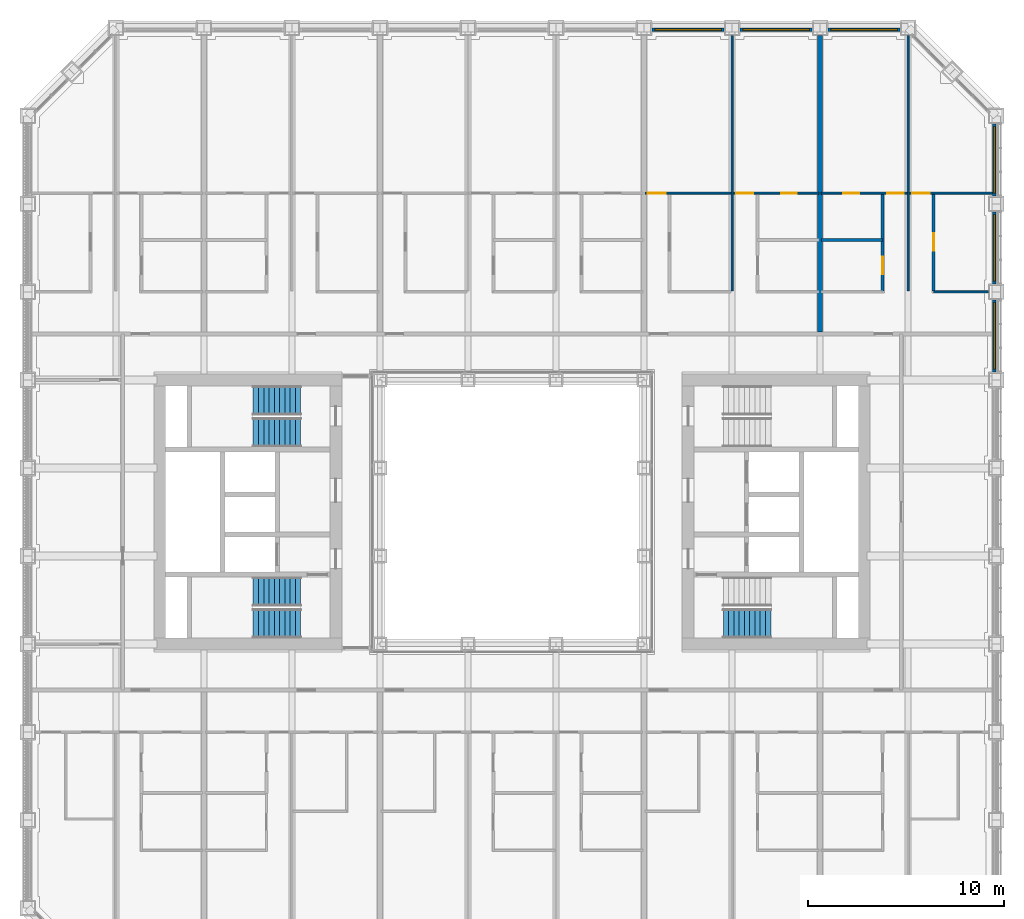
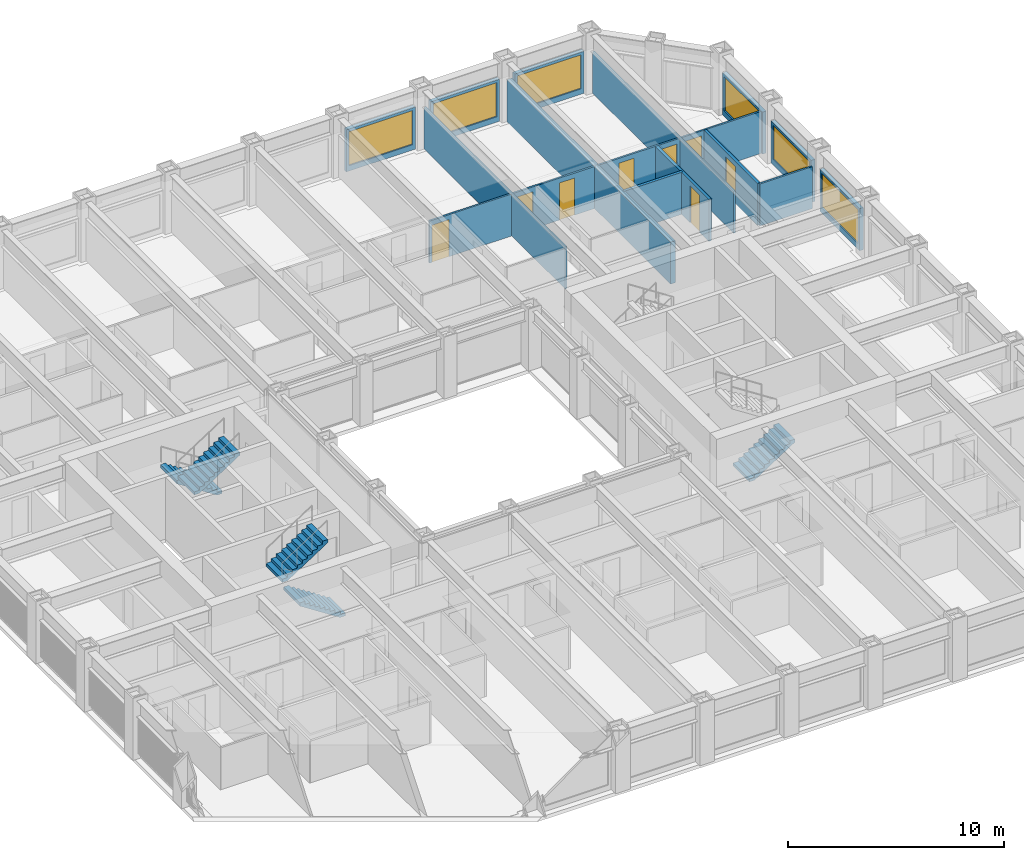
# One storey, part 15 of 21: 17 walls, 8 doors, 6 windows, 5 stair flights, 14 openings, 3 elements without a shape of their own.
"""IFC4 building model written with IfcOpenShell, lengths in metres."""

import ifcopenshell
import ifcopenshell.guid

model = None  # the IFC model being written
_history = None  # IfcOwnerHistory: only IFC2X3 demands one
_inside = {}  # id of a spatial element -> (the spatial element, [elements in it])
_under = {}  # id of a project, library or spatial element -> (it, [spatial elements below it])
_declared = {}  # id of a project -> (the project, [libraries it declares])
_typed = {}  # id of a type object -> (the type object, [elements of that type])
_made_of = {}  # id of a material, layer set ... -> (it, [elements and type objects made of it])


def new_model(schema):
    """Start an empty IFC model of exactly this schema.

    Asked for "IFC4X3", IfcOpenShell would pick the latest addendum, in which some entities
    have other attributes; the version numbers below select the first issue.
    IFC2X3 requires an IfcOwnerHistory on every rooted entity: one is made here for all.
    """
    global model, _history
    if schema == "IFC4X3":
        model = ifcopenshell.file(schema_version=(4, 3, 0, 0))
    else:
        model = ifcopenshell.file(schema=schema)
    _inside.clear()
    _under.clear()
    _declared.clear()
    _typed.clear()
    _made_of.clear()
    _history = None
    if model.schema == "IFC2X3":
        org = make("IfcOrganization", Name="unknown")
        user = make(
            "IfcPersonAndOrganization",
            ThePerson=make("IfcPerson", FamilyName="unknown"),
            TheOrganization=org,
        )
        app = make(
            "IfcApplication",
            ApplicationDeveloper=org,
            Version="unknown",
            ApplicationFullName="unknown",
            ApplicationIdentifier="unknown",
        )
        _history = make(
            "IfcOwnerHistory",
            OwningUser=user,
            OwningApplication=app,
            ChangeAction="ADDED",
            CreationDate=0,
        )
    return model


def make(cls, **values):
    """One entity of the class cls with the attributes given. An attribute that is None is left unset."""
    return model.create_entity(
        cls, **{name: value for name, value in values.items() if value is not None}
    )


def rooted(cls, **values):
    """An entity with a GlobalId (a new one), such as an element, a storey or a relation."""
    return make(cls, GlobalId=ifcopenshell.guid.new(), OwnerHistory=_history, **values)


def si_unit(unit_type, name, prefix=None):
    """IfcSIUnit, for example si_unit("LENGTHUNIT", "METRE", prefix="MILLI")."""
    return make("IfcSIUnit", UnitType=unit_type, Prefix=prefix, Name=name)


def assignment(units):
    """IfcUnitAssignment: the units of a project."""
    return None if units is None else make("IfcUnitAssignment", Units=units)


def point(xyz):
    """IfcCartesianPoint."""
    return None if xyz is None else make("IfcCartesianPoint", Coordinates=xyz)


def direction(xyz):
    """IfcDirection."""
    return None if xyz is None else make("IfcDirection", DirectionRatios=xyz)


def frame(location, z_axis=None, x_axis=None):
    """IfcAxis2Placement3D, a coordinate frame: its origin and axes. An axis left out is left unset."""
    return make(
        "IfcAxis2Placement3D",
        Location=point(location),
        Axis=direction(z_axis),
        RefDirection=direction(x_axis),
    )


def frame_2d(location, x_axis=None):
    """IfcAxis2Placement2D, a coordinate frame in the plane: its origin and x axis."""
    return make(
        "IfcAxis2Placement2D", Location=point(location), RefDirection=direction(x_axis)
    )


def origin():
    """The frame at (0, 0, 0) with its axes left unset."""
    return frame((0.0, 0.0, 0.0))


def place(relative_to, where):
    """IfcLocalPlacement: puts the frame where relative to a parent placement (None: the world)."""
    return make(
        "IfcLocalPlacement", PlacementRelTo=relative_to, RelativePlacement=where
    )


def context(
    kind, dimensions, precision=None, world=None, true_north=None, identifier=None
):
    """IfcGeometricRepresentationContext, for example the 3D "Model" context."""
    return make(
        "IfcGeometricRepresentationContext",
        ContextIdentifier=identifier,
        ContextType=kind,
        CoordinateSpaceDimension=dimensions,
        Precision=precision,
        WorldCoordinateSystem=world,
        TrueNorth=true_north,
    )


def subcontext(parent, identifier, kind, view, scale=None):
    """IfcGeometricRepresentationSubContext, for example "Body" below "Model"."""
    return make(
        "IfcGeometricRepresentationSubContext",
        ContextIdentifier=identifier,
        ContextType=kind,
        ParentContext=parent,
        TargetScale=scale,
        TargetView=view,
    )


def project(units=None, contexts=None):
    """IfcProject with its units and contexts."""
    return rooted(
        "IfcProject",
        Name="project",
        RepresentationContexts=contexts,
        UnitsInContext=assignment(units),
    )


def spatial(cls, under=None, at=None, **own):
    """A site, building, storey or space (cls), placed at a placement, below another one or the project."""
    s = rooted(cls, ObjectPlacement=at, **own)
    if under is not None:
        _under.setdefault(under.id(), (under, []))[1].append(s)
    return s


def polyline(points):
    """IfcPolyline through the points."""
    return make("IfcPolyline", Points=[point(p) for p in points])


def profile(cls, at=None, kind="AREA", **sizes):
    """A parametric profile (cls). Its sizes go by their IFC names, for example OverallWidth=200.0."""
    return make(cls, ProfileType=kind, Position=at, **sizes)


def rectangle(**sizes):
    """IfcRectangleProfileDef."""
    return profile("IfcRectangleProfileDef", **sizes)


def outline(outer, holes=None, kind="AREA"):
    """IfcArbitraryClosedProfileDef: a profile drawn as a closed curve; with holes, ...WithVoids."""
    if holes is None:
        return make("IfcArbitraryClosedProfileDef", ProfileType=kind, OuterCurve=outer)
    return make(
        "IfcArbitraryProfileDefWithVoids",
        ProfileType=kind,
        OuterCurve=outer,
        InnerCurves=holes,
    )


def extrude(swept, where, along, depth):
    """IfcExtrudedAreaSolid: the profile swept, set in the frame where, extruded along a direction by depth."""
    return make(
        "IfcExtrudedAreaSolid",
        SweptArea=swept,
        Position=where,
        ExtrudedDirection=direction(along),
        Depth=depth,
    )


def shape(context_of_items, identifier, shape_type, items):
    """IfcShapeRepresentation: the items that make up one representation, for example the "Body"."""
    return make(
        "IfcShapeRepresentation",
        ContextOfItems=context_of_items,
        RepresentationIdentifier=identifier,
        RepresentationType=shape_type,
        Items=items,
    )


def material(Name=None, Category=None):
    """IfcMaterial."""
    return make("IfcMaterial", Name=Name, Category=Category)


def layer(
    of_material, thickness, ventilated=None, Name=None, Category=None, Priority=None
):
    """IfcMaterialLayer: one layer of a wall or slab, of a material (None: an air gap)."""
    return make(
        "IfcMaterialLayer",
        Material=of_material,
        LayerThickness=thickness,
        IsVentilated=ventilated,
        Name=Name,
        Category=Category,
        Priority=Priority,
    )


def layer_set(layers, Name=None):
    """IfcMaterialLayerSet."""
    return make("IfcMaterialLayerSet", MaterialLayers=layers, LayerSetName=Name)


def made_of(thing, what):
    """Note that an element or type object is made of a material, layer set ...; save() writes the relation."""
    if what is not None:
        _made_of.setdefault(what.id(), (what, []))[1].append(thing)
    return thing


def type_object(cls, material=None, **own):
    """A type object (cls), such as IfcWallType, which elements share."""
    return made_of(rooted(cls, **own), material)


def element(
    cls,
    number,
    at=None,
    inside=None,
    cuts=None,
    type_object=None,
    material=None,
    context=None,
    identifier="Body",
    shape_type=None,
    held_by="IfcProductDefinitionShape",
    body=None,
    shapes=None,
    **own,
):
    """One element of the class cls, such as IfcWall. Its Tag is "e" and its number.

    at: its placement. inside: the storey or other place that contains it. cuts: it is an
    opening in that element (IfcRelVoidsElement). A single representation is given by context,
    identifier, shape_type and body (its items); several are given by shapes. held_by: the class
    of the entity that holds the representations. save() writes the other relations.
    """
    e = rooted(cls, Tag="e%d" % number, ObjectPlacement=at, **own)
    if body is not None:
        shapes = [shape(context, identifier, shape_type, body)]
    if shapes is not None:
        e.Representation = make(held_by, Representations=shapes)
    if inside is not None:
        _inside.setdefault(inside.id(), (inside, []))[1].append(e)
    if cuts is not None:
        rooted(
            "IfcRelVoidsElement", RelatingBuildingElement=cuts, RelatedOpeningElement=e
        )
    if type_object is not None:
        _typed.setdefault(type_object.id(), (type_object, []))[1].append(e)
    return made_of(e, material)


def fill(opening, filler):
    """IfcRelFillsElement: the door or window that sits in an opening."""
    return rooted(
        "IfcRelFillsElement",
        RelatingOpeningElement=opening,
        RelatedBuildingElement=filler,
    )


def aggregate(whole, parts):
    """IfcRelAggregates: a whole, such as a stair, and the parts it consists of."""
    return rooted("IfcRelAggregates", RelatingObject=whole, RelatedObjects=parts)


def save(model, path):
    """Write the relations noted so far, then the file.

    IfcRelAggregates (storeys below a building ...), IfcRelContainedInSpatialStructure (elements
    in a storey), IfcRelDefinesByType, IfcRelAssociatesMaterial and IfcRelDeclares: one each for
    every whole, place, type object, material and project.
    """
    for whole, parts in _under.values():
        aggregate(whole, parts)
    for where, things in _inside.values():
        rooted(
            "IfcRelContainedInSpatialStructure",
            RelatedElements=things,
            RelatingStructure=where,
        )
    for kind, things in _typed.values():
        rooted("IfcRelDefinesByType", RelatedObjects=things, RelatingType=kind)
    for what, things in _made_of.values():
        rooted("IfcRelAssociatesMaterial", RelatedObjects=things, RelatingMaterial=what)
    for by, libraries in _declared.values():
        rooted("IfcRelDeclares", RelatingContext=by, RelatedDefinitions=libraries)
    model.write(path)


model = new_model("IFC4")

# Units and contexts
model_context = context("Model", 3, precision=1e-05, world=origin(), true_north=direction((0.0, 1.0)))
body_context = subcontext(model_context, "Body", "Model", "MODEL_VIEW")
ifc_project = project(units=[si_unit("LENGTHUNIT", "METRE"), si_unit("AREAUNIT", "SQUARE_METRE"), si_unit("VOLUMEUNIT", "CUBIC_METRE"), si_unit("PLANEANGLEUNIT", "RADIAN"), si_unit("MASSUNIT", "GRAM", prefix="KILO")], contexts=[model_context])

# Site, building, storey
site_placement = place(None, origin())
site = spatial("IfcSite", under=ifc_project, at=site_placement, CompositionType="ELEMENT")
building_placement = place(site_placement, origin())
building = spatial("IfcBuilding", under=site, at=building_placement, Name="Msasa Ring Tower", CompositionType="ELEMENT")
storey_placement = place(building_placement, frame((0.0, 0.0, 47.5)))
storey = spatial("IfcBuildingStorey", under=building, at=storey_placement, Name="L11", CompositionType="ELEMENT", Elevation=47.5)

# Wall, opening, window
ifc_material_1 = material(Name="Terracotta rainscreen on blockwork", Category="masonry")
ifc_layer_1 = layer(ifc_material_1, 0.199951171875)
ifc_layer_set_1 = layer_set([ifc_layer_1], Name="FW1 TERRACOTTA-LINED INFILL BAY WALL 200")
wall_type_1 = type_object("IfcWallType", Name="FW1 TERRACOTTA-LINED INFILL BAY WALL 200", PredefinedType="SOLIDWALL", material=ifc_layer_set_1)
wall_1_placement = place(storey_placement, frame((24.64990234375, 7.155029296875, 0.0), z_axis=(0.0, 0.0, 1.0), x_axis=(0.0, 1.0, 0.0)))
wall_1 = element("IfcWall", 1, at=wall_1_placement, inside=storey, type_object=wall_type_1, Name="Infill bay wall E L11 17", PredefinedType="SOLIDWALL", context=body_context, shape_type="SweptSolid", body=[
    extrude(rectangle(XDim=3.68994140625, YDim=0.199951171875, at=frame_2d((1.844970703125, 0.0))), origin(), (0.0, 0.0, 1.0), 2.37890625),
])
opening_1_placement = place(wall_1_placement, frame((0.14501953125, 0.0, 0.300048828125)))
opening_1 = element("IfcOpeningElement", 2, at=opening_1_placement, cuts=wall_1, Name="Opening WN1", PredefinedType="OPENING", context=body_context, shape_type="SweptSolid", body=[
    extrude(rectangle(XDim=3.39990234375, YDim=1.928955078125, at=frame_2d((1.699951171875, 0.96435546875))), frame((0.0, 0.10986328125, 0.0), z_axis=(0.0, -1.0, 0.0), x_axis=(1.0, 0.0, 0.0)), (0.0, 0.0, 1.0), 0.219970703125),
])
ifc_material_2 = material(Name="Aluminium frame with clear glass", Category="aluminium")
window_type = type_object("IfcWindowType", Name="WN1 RESIDENCE WINDOW 3400x1929", PartitioningType="SINGLE_PANEL", PredefinedType="WINDOW", material=ifc_material_2)
window_1_placement = place(opening_1_placement, origin())
window_1 = element("IfcWindow", 3, at=window_1_placement, inside=storey, type_object=window_type, Name="Window E L11 17", OverallHeight=1.928955078125, OverallWidth=3.39990234375, PartitioningType="SINGLE_PANEL", PredefinedType="WINDOW", context=body_context, shape_type="SweptSolid", body=[
    extrude(rectangle(XDim=3.39990234375, YDim=1.928955078125, at=frame_2d((1.699951171875, 0.96435546875))), frame((0.0, 0.030029296875, 0.0), z_axis=(0.0, -1.0, 0.0), x_axis=(1.0, 0.0, 0.0)), (0.0, 0.0, 1.0), 0.06005859375),
])
fill(opening_1, window_1)

wall_2_placement = place(storey_placement, frame((24.64990234375, 11.655029296875, 0.0), z_axis=(0.0, 0.0, 1.0), x_axis=(0.0, 1.0, 0.0)))
wall_2 = element("IfcWall", 4, at=wall_2_placement, inside=storey, type_object=wall_type_1, Name="Infill bay wall E L11 18", PredefinedType="SOLIDWALL", context=body_context, shape_type="SweptSolid", body=[
    extrude(rectangle(XDim=3.68994140625, YDim=0.199951171875, at=frame_2d((1.844970703125, 0.0))), origin(), (0.0, 0.0, 1.0), 2.37890625),
])
opening_2_placement = place(wall_2_placement, frame((0.14501953125, 0.0, 0.300048828125)))
opening_2 = element("IfcOpeningElement", 5, at=opening_2_placement, cuts=wall_2, Name="Opening WN1", PredefinedType="OPENING", context=body_context, shape_type="SweptSolid", body=[
    extrude(rectangle(XDim=3.39990234375, YDim=1.928955078125, at=frame_2d((1.699951171875, 0.96435546875))), frame((0.0, 0.10986328125, 0.0), z_axis=(0.0, -1.0, 0.0), x_axis=(1.0, 0.0, 0.0)), (0.0, 0.0, 1.0), 0.219970703125),
])
window_2_placement = place(opening_2_placement, origin())
window_2 = element("IfcWindow", 6, at=window_2_placement, inside=storey, type_object=window_type, Name="Window E L11 18", OverallHeight=1.928955078125, OverallWidth=3.39990234375, PartitioningType="SINGLE_PANEL", PredefinedType="WINDOW", context=body_context, shape_type="SweptSolid", body=[
    extrude(rectangle(XDim=3.39990234375, YDim=1.928955078125, at=frame_2d((1.699951171875, 0.96435546875))), frame((0.0, 0.030029296875, 0.0), z_axis=(0.0, -1.0, 0.0), x_axis=(1.0, 0.0, 0.0)), (0.0, 0.0, 1.0), 0.06005859375),
])
fill(opening_2, window_2)

wall_3_placement = place(storey_placement, frame((24.64990234375, 16.155029296875, 0.0), z_axis=(0.0, 0.0, 1.0), x_axis=(0.0, 1.0, 0.0)))
wall_3 = element("IfcWall", 7, at=wall_3_placement, inside=storey, type_object=wall_type_1, Name="Infill bay wall E L11 19", PredefinedType="SOLIDWALL", context=body_context, shape_type="SweptSolid", body=[
    extrude(rectangle(XDim=3.68994140625, YDim=0.199951171875, at=frame_2d((1.844970703125, 0.0))), origin(), (0.0, 0.0, 1.0), 2.37890625),
])
opening_3_placement = place(wall_3_placement, frame((0.14501953125, 0.0, 0.300048828125)))
opening_3 = element("IfcOpeningElement", 8, at=opening_3_placement, cuts=wall_3, Name="Opening WN1", PredefinedType="OPENING", context=body_context, shape_type="SweptSolid", body=[
    extrude(rectangle(XDim=3.39990234375, YDim=1.928955078125, at=frame_2d((1.699951171875, 0.96435546875))), frame((0.0, 0.10986328125, 0.0), z_axis=(0.0, -1.0, 0.0), x_axis=(1.0, 0.0, 0.0)), (0.0, 0.0, 1.0), 0.219970703125),
])
window_3_placement = place(opening_3_placement, origin())
window_3 = element("IfcWindow", 9, at=window_3_placement, inside=storey, type_object=window_type, Name="Window E L11 19", OverallHeight=1.928955078125, OverallWidth=3.39990234375, PartitioningType="SINGLE_PANEL", PredefinedType="WINDOW", context=body_context, shape_type="SweptSolid", body=[
    extrude(rectangle(XDim=3.39990234375, YDim=1.928955078125, at=frame_2d((1.699951171875, 0.96435546875))), frame((0.0, 0.030029296875, 0.0), z_axis=(0.0, -1.0, 0.0), x_axis=(1.0, 0.0, 0.0)), (0.0, 0.0, 1.0), 0.06005859375),
])
fill(opening_3, window_3)

wall_4_placement = place(storey_placement, frame((7.155029296875, 24.64990234375, 0.0), z_axis=(0.0, 0.0, 1.0), x_axis=(1.0, 0.0, 0.0)))
wall_4 = element("IfcWall", 10, at=wall_4_placement, inside=storey, type_object=wall_type_1, Name="Infill bay wall N L11 28", PredefinedType="SOLIDWALL", context=body_context, shape_type="SweptSolid", body=[
    extrude(rectangle(XDim=3.68994140625, YDim=0.199951171875, at=frame_2d((1.844970703125, 0.0))), origin(), (0.0, 0.0, 1.0), 2.37890625),
])
opening_4_placement = place(wall_4_placement, frame((0.14501953125, 0.0, 0.300048828125)))
opening_4 = element("IfcOpeningElement", 11, at=opening_4_placement, cuts=wall_4, Name="Opening WN1", PredefinedType="OPENING", context=body_context, shape_type="SweptSolid", body=[
    extrude(rectangle(XDim=3.39990234375, YDim=1.928955078125, at=frame_2d((1.699951171875, 0.96435546875))), frame((0.0, 0.10986328125, 0.0), z_axis=(0.0, -1.0, 0.0), x_axis=(1.0, 0.0, 0.0)), (0.0, 0.0, 1.0), 0.219970703125),
])
window_4_placement = place(opening_4_placement, origin())
window_4 = element("IfcWindow", 12, at=window_4_placement, inside=storey, type_object=window_type, Name="Window N L11 28", OverallHeight=1.928955078125, OverallWidth=3.39990234375, PartitioningType="SINGLE_PANEL", PredefinedType="WINDOW", context=body_context, shape_type="SweptSolid", body=[
    extrude(rectangle(XDim=3.39990234375, YDim=1.928955078125, at=frame_2d((1.699951171875, 0.96435546875))), frame((0.0, 0.030029296875, 0.0), z_axis=(0.0, -1.0, 0.0), x_axis=(1.0, 0.0, 0.0)), (0.0, 0.0, 1.0), 0.06005859375),
])
fill(opening_4, window_4)

wall_5_placement = place(storey_placement, frame((11.655029296875, 24.64990234375, 0.0), z_axis=(0.0, 0.0, 1.0), x_axis=(1.0, 0.0, 0.0)))
wall_5 = element("IfcWall", 13, at=wall_5_placement, inside=storey, type_object=wall_type_1, Name="Infill bay wall N L11 29", PredefinedType="SOLIDWALL", context=body_context, shape_type="SweptSolid", body=[
    extrude(rectangle(XDim=3.68994140625, YDim=0.199951171875, at=frame_2d((1.844970703125, 0.0))), origin(), (0.0, 0.0, 1.0), 2.37890625),
])
opening_5_placement = place(wall_5_placement, frame((0.14501953125, 0.0, 0.300048828125)))
opening_5 = element("IfcOpeningElement", 14, at=opening_5_placement, cuts=wall_5, Name="Opening WN1", PredefinedType="OPENING", context=body_context, shape_type="SweptSolid", body=[
    extrude(rectangle(XDim=3.39990234375, YDim=1.928955078125, at=frame_2d((1.699951171875, 0.96435546875))), frame((0.0, 0.10986328125, 0.0), z_axis=(0.0, -1.0, 0.0), x_axis=(1.0, 0.0, 0.0)), (0.0, 0.0, 1.0), 0.219970703125),
])
window_5_placement = place(opening_5_placement, origin())
window_5 = element("IfcWindow", 15, at=window_5_placement, inside=storey, type_object=window_type, Name="Window N L11 29", OverallHeight=1.928955078125, OverallWidth=3.39990234375, PartitioningType="SINGLE_PANEL", PredefinedType="WINDOW", context=body_context, shape_type="SweptSolid", body=[
    extrude(rectangle(XDim=3.39990234375, YDim=1.928955078125, at=frame_2d((1.699951171875, 0.96435546875))), frame((0.0, 0.030029296875, 0.0), z_axis=(0.0, -1.0, 0.0), x_axis=(1.0, 0.0, 0.0)), (0.0, 0.0, 1.0), 0.06005859375),
])
fill(opening_5, window_5)

wall_6_placement = place(storey_placement, frame((16.155029296875, 24.64990234375, 0.0), z_axis=(0.0, 0.0, 1.0), x_axis=(1.0, 0.0, 0.0)))
wall_6 = element("IfcWall", 16, at=wall_6_placement, inside=storey, type_object=wall_type_1, Name="Infill bay wall N L11 30", PredefinedType="SOLIDWALL", context=body_context, shape_type="SweptSolid", body=[
    extrude(rectangle(XDim=3.68994140625, YDim=0.199951171875, at=frame_2d((1.844970703125, 0.0))), origin(), (0.0, 0.0, 1.0), 2.37890625),
])
opening_6_placement = place(wall_6_placement, frame((0.14501953125, 0.0, 0.300048828125)))
opening_6 = element("IfcOpeningElement", 17, at=opening_6_placement, cuts=wall_6, Name="Opening WN1", PredefinedType="OPENING", context=body_context, shape_type="SweptSolid", body=[
    extrude(rectangle(XDim=3.39990234375, YDim=1.928955078125, at=frame_2d((1.699951171875, 0.96435546875))), frame((0.0, 0.10986328125, 0.0), z_axis=(0.0, -1.0, 0.0), x_axis=(1.0, 0.0, 0.0)), (0.0, 0.0, 1.0), 0.219970703125),
])
window_6_placement = place(opening_6_placement, origin())
window_6 = element("IfcWindow", 18, at=window_6_placement, inside=storey, type_object=window_type, Name="Window N L11 30", OverallHeight=1.928955078125, OverallWidth=3.39990234375, PartitioningType="SINGLE_PANEL", PredefinedType="WINDOW", context=body_context, shape_type="SweptSolid", body=[
    extrude(rectangle(XDim=3.39990234375, YDim=1.928955078125, at=frame_2d((1.699951171875, 0.96435546875))), frame((0.0, 0.030029296875, 0.0), z_axis=(0.0, -1.0, 0.0), x_axis=(1.0, 0.0, 0.0)), (0.0, 0.0, 1.0), 0.06005859375),
])
fill(opening_6, window_6)

# Wall, opening, door
ifc_material_3 = material(Name="Gypsum board on steel studs", Category="steel")
ifc_layer_2 = layer(ifc_material_3, 0.10009765625)
ifc_layer_set_2 = layer_set([ifc_layer_2], Name="PT2 STUD PARTITION 100")
wall_type_2 = type_object("IfcWallType", Name="PT2 STUD PARTITION 100", PredefinedType="PARTITIONING", material=ifc_layer_set_2)
wall_7_placement = place(storey_placement, frame((6.81005859375, 16.300048828125, 0.0), z_axis=(0.0, 0.0, 1.0), x_axis=(1.0, 0.0, 0.0)))
wall_7 = element("IfcWall", 19, at=wall_7_placement, inside=storey, type_object=wall_type_2, Name="Partition L11-UN03SY0", PredefinedType="PARTITIONING", context=body_context, shape_type="SweptSolid", body=[
    extrude(rectangle(XDim=4.389892578125, YDim=0.10009765625, at=frame_2d((2.19482421875, 0.0))), origin(), (0.0, 0.0, 1.0), 2.373291015625),
])
opening_7_placement = place(wall_7_placement, frame((0.139892578125, 0.0, 0.0)))
opening_7 = element("IfcOpeningElement", 20, at=opening_7_placement, cuts=wall_7, Name="Opening RC-012", PredefinedType="OPENING", context=body_context, shape_type="SweptSolid", body=[
    extrude(rectangle(XDim=0.89990234375, YDim=2.10009765625, at=frame_2d((0.449951171875, 1.050048828125))), frame((0.0, 0.06005859375, 0.0), z_axis=(0.0, -1.0, 0.0), x_axis=(1.0, 0.0, 0.0)), (0.0, 0.0, 1.0), 0.1201171875),
])
ifc_material_4 = material(Name="Timber door leaf in a steel frame", Category="steel")
door_type_1 = type_object("IfcDoorType", Name="D22 INTERNAL HALL DOOR 900x2100", OperationType="SINGLE_SWING_LEFT", PredefinedType="DOOR", material=ifc_material_4)
door_1_placement = place(opening_7_placement, origin())
door_1 = element("IfcDoor", 21, at=door_1_placement, inside=storey, type_object=door_type_1, Name="Door L11-UN03L", OperationType="SINGLE_SWING_LEFT", OverallHeight=2.10009765625, OverallWidth=0.89990234375, PredefinedType="DOOR", context=body_context, shape_type="SweptSolid", body=[
    extrude(rectangle(XDim=0.89990234375, YDim=2.10009765625, at=frame_2d((0.449951171875, 1.050048828125))), frame((0.0, 0.02490234375, 0.0), z_axis=(0.0, -1.0, 0.0), x_axis=(1.0, 0.0, 0.0)), (0.0, 0.0, 1.0), 0.050048828125),
])
fill(opening_7, door_1)

# Wall
wall_8_placement = place(storey_placement, frame((11.25, 11.300048828125, 0.0), z_axis=(0.0, 0.0, 1.0), x_axis=(0.0, 1.0, 0.0)))
element("IfcWall", 22, at=wall_8_placement, inside=storey, type_object=wall_type_2, Name="Partition L11-UN03P1", PredefinedType="PARTITIONING", context=body_context, shape_type="SweptSolid", body=[
    extrude(rectangle(XDim=13.050048828125, YDim=0.10009765625, at=frame_2d((6.52490234375, 0.0))), origin(), (0.0, 0.0, 1.0), 2.373291015625),
])

# Wall, openings, doors
wall_9_placement = place(storey_placement, frame((11.300048828125, 16.300048828125, 0.0), z_axis=(0.0, 0.0, 1.0), x_axis=(1.0, 0.0, 0.0)))
wall_9 = element("IfcWall", 23, at=wall_9_placement, inside=storey, type_object=wall_type_2, Name="Partition L11-UN03SY1", PredefinedType="PARTITIONING", context=body_context, shape_type="SweptSolid", body=[
    extrude(rectangle(XDim=4.389892578125, YDim=0.10009765625, at=frame_2d((2.19482421875, 0.0))), origin(), (0.0, 0.0, 1.0), 2.373291015625),
])
opening_8_placement = place(wall_9_placement, frame((0.175048828125, 0.0, 0.0)))
opening_8 = element("IfcOpeningElement", 24, at=opening_8_placement, cuts=wall_9, Name="Opening RC-013", PredefinedType="OPENING", context=body_context, shape_type="SweptSolid", body=[
    extrude(rectangle(XDim=0.85009765625, YDim=2.10009765625, at=frame_2d((0.425048828125, 1.050048828125))), frame((0.0, 0.06005859375, 0.0), z_axis=(0.0, -1.0, 0.0), x_axis=(1.0, 0.0, 0.0)), (0.0, 0.0, 1.0), 0.1201171875),
])
opening_9_placement = place(wall_9_placement, frame((2.4599609375, 0.0, 0.0)))
opening_9 = element("IfcOpeningElement", 25, at=opening_9_placement, cuts=wall_9, Name="Opening RC-014", PredefinedType="OPENING", context=body_context, shape_type="SweptSolid", body=[
    extrude(rectangle(XDim=0.800048828125, YDim=2.10009765625, at=frame_2d((0.39990234375, 1.050048828125))), frame((0.0, 0.06005859375, 0.0), z_axis=(0.0, -1.0, 0.0), x_axis=(1.0, 0.0, 0.0)), (0.0, 0.0, 1.0), 0.1201171875),
])
ifc_material_5 = material(Name="Timber door leaf in a steel frame", Category="steel")
door_type_2 = type_object("IfcDoorType", Name="D14 BEDROOM DOOR 850x2100", OperationType="SINGLE_SWING_LEFT", PredefinedType="DOOR", material=ifc_material_5)
door_2_placement = place(opening_8_placement, origin())
door_2 = element("IfcDoor", 26, at=door_2_placement, inside=storey, type_object=door_type_2, Name="Door L11-UN03R1", OperationType="SINGLE_SWING_LEFT", OverallHeight=2.10009765625, OverallWidth=0.85009765625, PredefinedType="DOOR", context=body_context, shape_type="SweptSolid", body=[
    extrude(rectangle(XDim=0.85009765625, YDim=2.10009765625, at=frame_2d((0.425048828125, 1.050048828125))), frame((0.0, 0.02490234375, 0.0), z_axis=(0.0, -1.0, 0.0), x_axis=(1.0, 0.0, 0.0)), (0.0, 0.0, 1.0), 0.050048828125),
])
fill(opening_8, door_2)
ifc_material_6 = material(Name="Timber door leaf in a steel frame", Category="steel")
door_type_3 = type_object("IfcDoorType", Name="D60 DRESSING ROOM DOOR 800x2100", OperationType="SINGLE_SWING_LEFT", PredefinedType="DOOR", material=ifc_material_6)
door_3_placement = place(opening_9_placement, origin())
door_3 = element("IfcDoor", 27, at=door_3_placement, inside=storey, type_object=door_type_3, Name="Door L11-UN03W1", OperationType="SINGLE_SWING_RIGHT", OverallHeight=2.10009765625, OverallWidth=0.800048828125, PredefinedType="DOOR", context=body_context, shape_type="SweptSolid", body=[
    extrude(rectangle(XDim=0.800048828125, YDim=2.10009765625, at=frame_2d((0.39990234375, 1.050048828125))), frame((0.0, 0.02490234375, 0.0), z_axis=(0.0, -1.0, 0.0), x_axis=(1.0, 0.0, 0.0)), (0.0, 0.0, 1.0), 0.050048828125),
])
fill(opening_9, door_3)

# Wall
wall_10_placement = place(storey_placement, frame((21.550048828125, 11.25, 0.0), z_axis=(0.0, 0.0, 1.0), x_axis=(1.0, 0.0, 0.0)))
element("IfcWall", 28, at=wall_10_placement, inside=storey, type_object=wall_type_2, Name="Partition L11-UN04HY0", PredefinedType="PARTITIONING", context=body_context, shape_type="SweptSolid", body=[
    extrude(rectangle(XDim=2.800048828125, YDim=0.10009765625, at=frame_2d((1.39990234375, 0.0))), origin(), (0.0, 0.0, 1.0), 2.373291015625),
])

# Wall, opening, door
wall_11_placement = place(storey_placement, frame((20.300048828125, 16.300048828125, 0.0), z_axis=(0.0, 0.0, 1.0), x_axis=(1.0, 0.0, 0.0)))
wall_11 = element("IfcWall", 29, at=wall_11_placement, inside=storey, type_object=wall_type_2, Name="Partition L11-UN04SY0", PredefinedType="PARTITIONING", context=body_context, shape_type="SweptSolid", body=[
    extrude(rectangle(XDim=4.25, YDim=0.10009765625, at=frame_2d((2.125, 0.0))), origin(), (0.0, 0.0, 1.0), 2.373291015625),
])
opening_10_placement = place(wall_11_placement, frame((0.14990234375, 0.0, 0.0)))
opening_10 = element("IfcOpeningElement", 30, at=opening_10_placement, cuts=wall_11, Name="Opening RC-017", PredefinedType="OPENING", context=body_context, shape_type="SweptSolid", body=[
    extrude(rectangle(XDim=0.89990234375, YDim=2.10009765625, at=frame_2d((0.449951171875, 1.050048828125))), frame((0.0, 0.06005859375, 0.0), z_axis=(0.0, -1.0, 0.0), x_axis=(1.0, 0.0, 0.0)), (0.0, 0.0, 1.0), 0.1201171875),
])
door_4_placement = place(opening_10_placement, origin())
door_4 = element("IfcDoor", 31, at=door_4_placement, inside=storey, type_object=door_type_1, Name="Door L11-UN04L", OperationType="SINGLE_SWING_LEFT", OverallHeight=2.10009765625, OverallWidth=0.89990234375, PredefinedType="DOOR", context=body_context, shape_type="SweptSolid", body=[
    extrude(rectangle(XDim=0.89990234375, YDim=2.10009765625, at=frame_2d((0.449951171875, 1.050048828125))), frame((0.0, 0.02490234375, 0.0), z_axis=(0.0, -1.0, 0.0), x_axis=(1.0, 0.0, 0.0)), (0.0, 0.0, 1.0), 0.050048828125),
])
fill(opening_10, door_4)

# Wall
wall_12_placement = place(storey_placement, frame((20.25, 11.300048828125, 0.0), z_axis=(0.0, 0.0, 1.0), x_axis=(0.0, 1.0, 0.0)))
element("IfcWall", 32, at=wall_12_placement, inside=storey, type_object=wall_type_2, Name="Partition L11-UN04P1", PredefinedType="PARTITIONING", context=body_context, shape_type="SweptSolid", body=[
    extrude(rectangle(XDim=13.050048828125, YDim=0.10009765625, at=frame_2d((6.52490234375, 0.0))), origin(), (0.0, 0.0, 1.0), 2.373291015625),
])

# Wall, openings, doors
wall_13_placement = place(storey_placement, frame((15.81005859375, 16.300048828125, 0.0), z_axis=(0.0, 0.0, 1.0), x_axis=(1.0, 0.0, 0.0)))
wall_13 = element("IfcWall", 33, at=wall_13_placement, inside=storey, type_object=wall_type_2, Name="Partition L11-UN04SY1", PredefinedType="PARTITIONING", context=body_context, shape_type="SweptSolid", body=[
    extrude(rectangle(XDim=4.389892578125, YDim=0.10009765625, at=frame_2d((2.19482421875, 0.0))), origin(), (0.0, 0.0, 1.0), 2.373291015625),
])
opening_11_placement = place(wall_13_placement, frame((3.364990234375, 0.0, 0.0)))
opening_11 = element("IfcOpeningElement", 34, at=opening_11_placement, cuts=wall_13, Name="Opening RC-016", PredefinedType="OPENING", context=body_context, shape_type="SweptSolid", body=[
    extrude(rectangle(XDim=0.85009765625, YDim=2.10009765625, at=frame_2d((0.425048828125, 1.050048828125))), frame((0.0, 0.06005859375, 0.0), z_axis=(0.0, -1.0, 0.0), x_axis=(1.0, 0.0, 0.0)), (0.0, 0.0, 1.0), 0.1201171875),
])
opening_12_placement = place(wall_13_placement, frame((1.1298828125, 0.0, 0.0)))
opening_12 = element("IfcOpeningElement", 35, at=opening_12_placement, cuts=wall_13, Name="Opening RC-015", PredefinedType="OPENING", context=body_context, shape_type="SweptSolid", body=[
    extrude(rectangle(XDim=0.800048828125, YDim=2.10009765625, at=frame_2d((0.39990234375, 1.050048828125))), frame((0.0, 0.06005859375, 0.0), z_axis=(0.0, -1.0, 0.0), x_axis=(1.0, 0.0, 0.0)), (0.0, 0.0, 1.0), 0.1201171875),
])
door_5_placement = place(opening_11_placement, origin())
door_5 = element("IfcDoor", 36, at=door_5_placement, inside=storey, type_object=door_type_2, Name="Door L11-UN04R1", OperationType="SINGLE_SWING_RIGHT", OverallHeight=2.10009765625, OverallWidth=0.85009765625, PredefinedType="DOOR", context=body_context, shape_type="SweptSolid", body=[
    extrude(rectangle(XDim=0.85009765625, YDim=2.10009765625, at=frame_2d((0.425048828125, 1.050048828125))), frame((0.0, 0.02490234375, 0.0), z_axis=(0.0, -1.0, 0.0), x_axis=(1.0, 0.0, 0.0)), (0.0, 0.0, 1.0), 0.050048828125),
])
fill(opening_11, door_5)
door_6_placement = place(opening_12_placement, origin())
door_6 = element("IfcDoor", 37, at=door_6_placement, inside=storey, type_object=door_type_3, Name="Door L11-UN04W1", OperationType="SINGLE_SWING_LEFT", OverallHeight=2.10009765625, OverallWidth=0.800048828125, PredefinedType="DOOR", context=body_context, shape_type="SweptSolid", body=[
    extrude(rectangle(XDim=0.800048828125, YDim=2.10009765625, at=frame_2d((0.39990234375, 1.050048828125))), frame((0.0, 0.02490234375, 0.0), z_axis=(0.0, -1.0, 0.0), x_axis=(1.0, 0.0, 0.0)), (0.0, 0.0, 1.0), 0.050048828125),
])
fill(opening_12, door_6)

# Wall
ifc_material_7 = material(Name="Dense concrete blockwork, plastered both faces", Category="masonry")
ifc_layer_3 = layer(ifc_material_7, 0.25)
ifc_layer_set_3 = layer_set([ifc_layer_3], Name="PT3 APARTMENT SEPARATING WALL 250")
wall_type_3 = type_object("IfcWallType", Name="PT3 APARTMENT SEPARATING WALL 250", PredefinedType="PARTITIONING", material=ifc_layer_set_3)
wall_14_placement = place(storey_placement, frame((15.75, 9.199951171875, 0.0), z_axis=(0.0, 0.0, 1.0), x_axis=(0.0, 1.0, 0.0)))
element("IfcWall", 38, at=wall_14_placement, inside=storey, type_object=wall_type_3, Name="Party wall L11-PWN+15.75", PredefinedType="PARTITIONING", context=body_context, shape_type="SweptSolid", body=[
    extrude(rectangle(XDim=15.150146484375, YDim=0.25, at=frame_2d((7.5751953125, 0.0))), origin(), (0.0, 0.0, 1.0), 2.373291015625),
])

# Wall, opening, door
ifc_material_8 = material(Name="Moisture-resistant board on steel studs with a concealed cistern and pipe void, tiled", Category="steel")
ifc_layer_4 = layer(ifc_material_8, 0.14990234375)
ifc_layer_set_4 = layer_set([ifc_layer_4], Name="PT4 BATHROOM WET WALL 150")
wall_type_4 = type_object("IfcWallType", Name="PT4 BATHROOM WET WALL 150", PredefinedType="PARTITIONING", material=ifc_layer_set_4)
wall_15_placement = place(storey_placement, frame((21.550048828125, 11.300048828125, 0.0), z_axis=(0.0, 0.0, 1.0), x_axis=(0.0, 1.0, 0.0)))
wall_15 = element("IfcWall", 39, at=wall_15_placement, inside=storey, type_object=wall_type_4, Name="Partition L11-UN04SX0", PredefinedType="PARTITIONING", context=body_context, shape_type="SweptSolid", body=[
    extrude(rectangle(XDim=5.0, YDim=0.14990234375, at=frame_2d((2.5, 0.0))), origin(), (0.0, 0.0, 1.0), 2.373291015625),
])
opening_13_placement = place(wall_15_placement, frame((2.050048828125, 0.0, 0.0)))
opening_13 = element("IfcOpeningElement", 40, at=opening_13_placement, cuts=wall_15, Name="Opening RC-022", PredefinedType="OPENING", context=body_context, shape_type="SweptSolid", body=[
    extrude(rectangle(XDim=0.89990234375, YDim=2.10009765625, at=frame_2d((0.449951171875, 1.050048828125))), frame((0.0, 0.0849609375, 0.0), z_axis=(0.0, -1.0, 0.0), x_axis=(1.0, 0.0, 0.0)), (0.0, 0.0, 1.0), 0.169921875),
])
door_7_placement = place(opening_13_placement, origin())
door_7 = element("IfcDoor", 41, at=door_7_placement, inside=storey, type_object=door_type_1, Name="Door L11-UN04K", OperationType="SINGLE_SWING_LEFT", OverallHeight=2.10009765625, OverallWidth=0.89990234375, PredefinedType="DOOR", context=body_context, shape_type="SweptSolid", body=[
    extrude(rectangle(XDim=0.89990234375, YDim=2.10009765625, at=frame_2d((0.449951171875, 1.050048828125))), frame((0.0, 0.02490234375, 0.0), z_axis=(0.0, -1.0, 0.0), x_axis=(1.0, 0.0, 0.0)), (0.0, 0.0, 1.0), 0.050048828125),
])
fill(opening_13, door_7)

wall_16_placement = place(storey_placement, frame((18.949951171875, 11.300048828125, 0.0), z_axis=(0.0, 0.0, 1.0), x_axis=(0.0, 1.0, 0.0)))
wall_16 = element("IfcWall", 42, at=wall_16_placement, inside=storey, type_object=wall_type_4, Name="Partition L11-UN04SX1", PredefinedType="PARTITIONING", context=body_context, shape_type="SweptSolid", body=[
    extrude(rectangle(XDim=5.0, YDim=0.14990234375, at=frame_2d((2.5, 0.0))), origin(), (0.0, 0.0, 1.0), 2.373291015625),
])
opening_14_placement = place(wall_16_placement, frame((0.85009765625, 0.0, 0.0)))
opening_14 = element("IfcOpeningElement", 43, at=opening_14_placement, cuts=wall_16, Name="Opening RC-028", PredefinedType="OPENING", context=body_context, shape_type="SweptSolid", body=[
    extrude(rectangle(XDim=0.89990234375, YDim=2.10009765625, at=frame_2d((0.449951171875, 1.050048828125))), frame((0.0, 0.0849609375, 0.0), z_axis=(0.0, -1.0, 0.0), x_axis=(1.0, 0.0, 0.0)), (0.0, 0.0, 1.0), 0.169921875),
])
ifc_material_9 = material(Name="Timber door leaf in a steel frame", Category="steel")
door_type_4 = type_object("IfcDoorType", Name="D3 BATHROOM DOOR 900x2100", OperationType="SINGLE_SWING_LEFT", PredefinedType="DOOR", material=ifc_material_9)
door_8_placement = place(opening_14_placement, origin())
door_8 = element("IfcDoor", 44, at=door_8_placement, inside=storey, type_object=door_type_4, Name="Door L11-UN04B1", OperationType="SINGLE_SWING_LEFT", OverallHeight=2.10009765625, OverallWidth=0.89990234375, PredefinedType="DOOR", context=body_context, shape_type="SweptSolid", body=[
    extrude(rectangle(XDim=0.89990234375, YDim=2.10009765625, at=frame_2d((0.449951171875, 1.050048828125))), frame((0.0, 0.02490234375, 0.0), z_axis=(0.0, -1.0, 0.0), x_axis=(1.0, 0.0, 0.0)), (0.0, 0.0, 1.0), 0.050048828125),
])
fill(opening_14, door_8)

# Wall
wall_17_placement = place(storey_placement, frame((15.81005859375, 13.89990234375, 0.0), z_axis=(0.0, 0.0, 1.0), x_axis=(1.0, 0.0, 0.0)))
element("IfcWall", 45, at=wall_17_placement, inside=storey, type_object=wall_type_4, Name="Partition L11-UN04SB1", PredefinedType="PARTITIONING", context=body_context, shape_type="SweptSolid", body=[
    extrude(rectangle(XDim=3.139892578125, YDim=0.14990234375, at=frame_2d((1.56982421875, 0.0))), origin(), (0.0, 0.0, 1.0), 2.373291015625),
])

# Stair, stair flight
ifc_material_10 = material(Name="Concrete C40/50", Category="concrete")
stair_type = type_object("IfcStairType", Name="STC CORE STAIR 20 RISERS 175", PredefinedType="HALF_TURN_STAIR", material=ifc_material_10)
stair_1_placement = place(storey_placement, origin())
stair_1 = element("IfcStair", 46, at=stair_1_placement, inside=storey, type_object=stair_type, Name="Core stair SEA L11", PredefinedType="HALF_TURN_STAIR")
ifc_material_11 = material(Name="Concrete C40/50", Category="concrete")
stair_flight_type = type_object("IfcStairFlightType", Name="ST12 CORE STAIR FLIGHT 1500 10 RISERS 175", PredefinedType="STRAIGHT", material=ifc_material_11)
stair_flight_1_placement = place(storey_placement, frame((10.800048828125, -5.699951171875, 0.0), z_axis=(0.0, 0.0, 1.0), x_axis=(1.0, 0.0, 0.0)))
stair_flight_1 = element("IfcStairFlight", 47, at=stair_flight_1_placement, type_object=stair_flight_type, Name="SEA flight 1", NumberOfRisers=10, NumberOfTreads=9, PredefinedType="STRAIGHT", RiserHeight=0.175, TreadLength=0.27, context=body_context, shape_type="SweptSolid", body=[
    extrude(outline(polyline([(0.0, 0.0), (0.0, 0.175048828125), (0.27001953125, 0.175048828125), (0.27001953125, 0.35009765625), (0.5400390625, 0.35009765625), (0.5400390625, 0.52490234375), (0.81005859375, 0.52490234375), (0.81005859375, 0.699951171875), (1.080078125, 0.699951171875), (1.080078125, 0.875), (1.35009765625, 0.875), (1.35009765625, 1.050048828125), (1.6201171875, 1.050048828125), (1.6201171875, 1.22509765625), (1.889892578125, 1.22509765625), (1.889892578125, 1.39990234375), (2.159912109375, 1.39990234375), (2.159912109375, 1.574951171875), (2.429931640625, 1.574951171875), (2.429931640625, 1.75), (2.429931640625, 1.396484375), (0.275634765625, 0.0), (0.0, 0.0)])), frame((0.0, 0.75, 0.0), z_axis=(0.0, -1.0, 0.0), x_axis=(1.0, 0.0, 0.0)), (0.0, 0.0, 1.0), 1.5),
])
aggregate(stair_1, [stair_flight_1])

# Stair, stair flights
stair_2_placement = place(storey_placement, origin())
stair_2 = element("IfcStair", 48, at=stair_2_placement, inside=storey, type_object=stair_type, Name="Core stair SWA L11", PredefinedType="HALF_TURN_STAIR")
stair_flight_2_placement = place(storey_placement, frame((-10.800048828125, -5.699951171875, 0.0), z_axis=(0.0, 0.0, 1.0), x_axis=(-1.0, 0.0, 0.0)))
stair_flight_2 = element("IfcStairFlight", 49, at=stair_flight_2_placement, type_object=stair_flight_type, Name="SWA flight 1", NumberOfRisers=10, NumberOfTreads=9, PredefinedType="STRAIGHT", RiserHeight=0.175, TreadLength=0.27, context=body_context, shape_type="SweptSolid", body=[
    extrude(outline(polyline([(0.0, 0.0), (0.0, 0.175048828125), (0.27001953125, 0.175048828125), (0.27001953125, 0.35009765625), (0.5400390625, 0.35009765625), (0.5400390625, 0.52490234375), (0.81005859375, 0.52490234375), (0.81005859375, 0.699951171875), (1.080078125, 0.699951171875), (1.080078125, 0.875), (1.35009765625, 0.875), (1.35009765625, 1.050048828125), (1.6201171875, 1.050048828125), (1.6201171875, 1.22509765625), (1.889892578125, 1.22509765625), (1.889892578125, 1.39990234375), (2.159912109375, 1.39990234375), (2.159912109375, 1.574951171875), (2.429931640625, 1.574951171875), (2.429931640625, 1.75), (2.429931640625, 1.396484375), (0.275634765625, 0.0), (0.0, 0.0)])), frame((0.0, 0.75, 0.0), z_axis=(0.0, -1.0, 0.0), x_axis=(1.0, 0.0, 0.0)), (0.0, 0.0, 1.0), 1.5),
])
stair_flight_3_placement = place(storey_placement, frame((-13.22998046875, -4.074951171875, 1.75), z_axis=(0.0, 0.0, 1.0), x_axis=(1.0, 0.0, 0.0)))
stair_flight_3 = element("IfcStairFlight", 50, at=stair_flight_3_placement, type_object=stair_flight_type, Name="SWA flight 2", NumberOfRisers=10, NumberOfTreads=9, PredefinedType="STRAIGHT", RiserHeight=0.175, TreadLength=0.27, context=body_context, shape_type="SweptSolid", body=[
    extrude(outline(polyline([(0.0, 0.0), (0.0, 0.175048828125), (0.27001953125, 0.175048828125), (0.27001953125, 0.35009765625), (0.5400390625, 0.35009765625), (0.5400390625, 0.52490234375), (0.81005859375, 0.52490234375), (0.81005859375, 0.699951171875), (1.080078125, 0.699951171875), (1.080078125, 0.875), (1.35009765625, 0.875), (1.35009765625, 1.050048828125), (1.6201171875, 1.050048828125), (1.6201171875, 1.22509765625), (1.889892578125, 1.22509765625), (1.889892578125, 1.39990234375), (2.159912109375, 1.39990234375), (2.159912109375, 1.574951171875), (2.429931640625, 1.574951171875), (2.429931640625, 1.75), (2.429931640625, 1.396484375), (0.275634765625, 0.0), (0.0, 0.0)])), frame((0.0, 0.75, 0.0), z_axis=(0.0, -1.0, 0.0), x_axis=(1.0, 0.0, 0.0)), (0.0, 0.0, 1.0), 1.5),
])
aggregate(stair_2, [stair_flight_2, stair_flight_3])

stair_3_placement = place(storey_placement, origin())
stair_3 = element("IfcStair", 51, at=stair_3_placement, inside=storey, type_object=stair_type, Name="Core stair SWB L11", PredefinedType="HALF_TURN_STAIR")
stair_flight_4_placement = place(storey_placement, frame((-10.800048828125, 5.699951171875, 0.0), z_axis=(0.0, 0.0, 1.0), x_axis=(-1.0, 0.0, 0.0)))
stair_flight_4 = element("IfcStairFlight", 52, at=stair_flight_4_placement, type_object=stair_flight_type, Name="SWB flight 1", NumberOfRisers=10, NumberOfTreads=9, PredefinedType="STRAIGHT", RiserHeight=0.175, TreadLength=0.27, context=body_context, shape_type="SweptSolid", body=[
    extrude(outline(polyline([(0.0, 0.0), (0.0, 0.175048828125), (0.27001953125, 0.175048828125), (0.27001953125, 0.35009765625), (0.5400390625, 0.35009765625), (0.5400390625, 0.52490234375), (0.81005859375, 0.52490234375), (0.81005859375, 0.699951171875), (1.080078125, 0.699951171875), (1.080078125, 0.875), (1.35009765625, 0.875), (1.35009765625, 1.050048828125), (1.6201171875, 1.050048828125), (1.6201171875, 1.22509765625), (1.889892578125, 1.22509765625), (1.889892578125, 1.39990234375), (2.159912109375, 1.39990234375), (2.159912109375, 1.574951171875), (2.429931640625, 1.574951171875), (2.429931640625, 1.75), (2.429931640625, 1.396484375), (0.275634765625, 0.0), (0.0, 0.0)])), frame((0.0, 0.75, 0.0), z_axis=(0.0, -1.0, 0.0), x_axis=(1.0, 0.0, 0.0)), (0.0, 0.0, 1.0), 1.5),
])
stair_flight_5_placement = place(storey_placement, frame((-13.22998046875, 4.074951171875, 1.75), z_axis=(0.0, 0.0, 1.0), x_axis=(1.0, 0.0, 0.0)))
stair_flight_5 = element("IfcStairFlight", 53, at=stair_flight_5_placement, type_object=stair_flight_type, Name="SWB flight 2", NumberOfRisers=10, NumberOfTreads=9, PredefinedType="STRAIGHT", RiserHeight=0.175, TreadLength=0.27, context=body_context, shape_type="SweptSolid", body=[
    extrude(outline(polyline([(0.0, 0.0), (0.0, 0.175048828125), (0.27001953125, 0.175048828125), (0.27001953125, 0.35009765625), (0.5400390625, 0.35009765625), (0.5400390625, 0.52490234375), (0.81005859375, 0.52490234375), (0.81005859375, 0.699951171875), (1.080078125, 0.699951171875), (1.080078125, 0.875), (1.35009765625, 0.875), (1.35009765625, 1.050048828125), (1.6201171875, 1.050048828125), (1.6201171875, 1.22509765625), (1.889892578125, 1.22509765625), (1.889892578125, 1.39990234375), (2.159912109375, 1.39990234375), (2.159912109375, 1.574951171875), (2.429931640625, 1.574951171875), (2.429931640625, 1.75), (2.429931640625, 1.396484375), (0.275634765625, 0.0), (0.0, 0.0)])), frame((0.0, 0.75, 0.0), z_axis=(0.0, -1.0, 0.0), x_axis=(1.0, 0.0, 0.0)), (0.0, 0.0, 1.0), 1.5),
])
aggregate(stair_3, [stair_flight_4, stair_flight_5])

save(model, "model.ifc")
